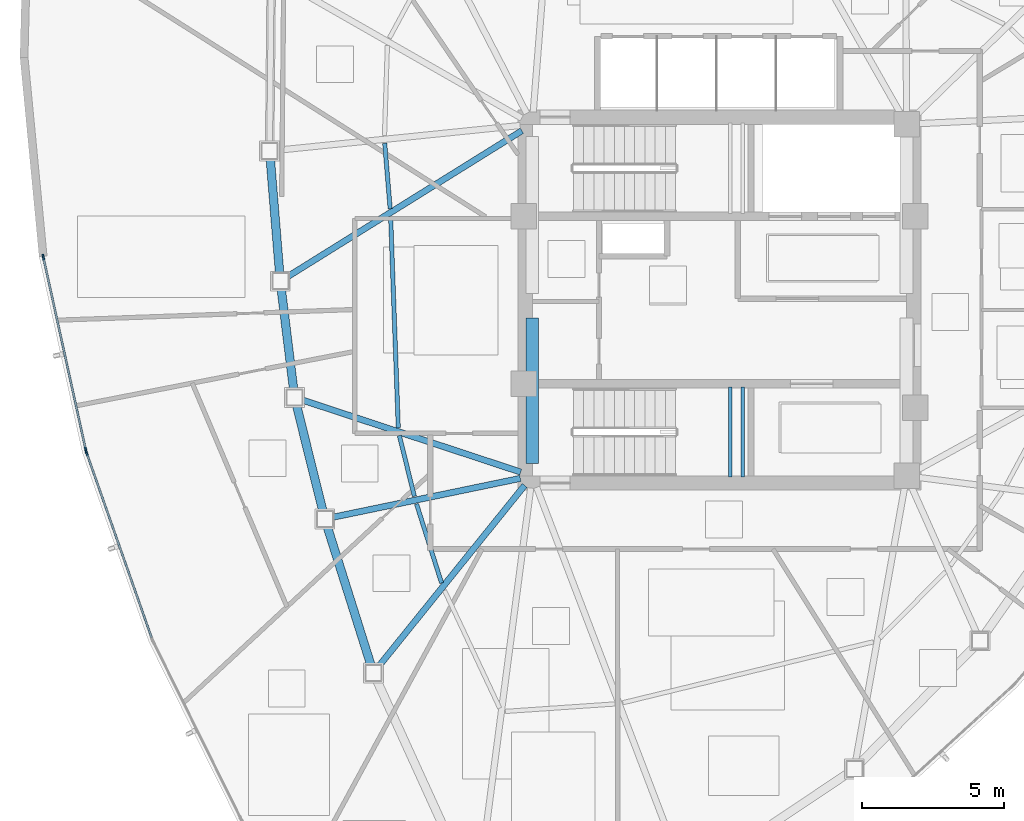
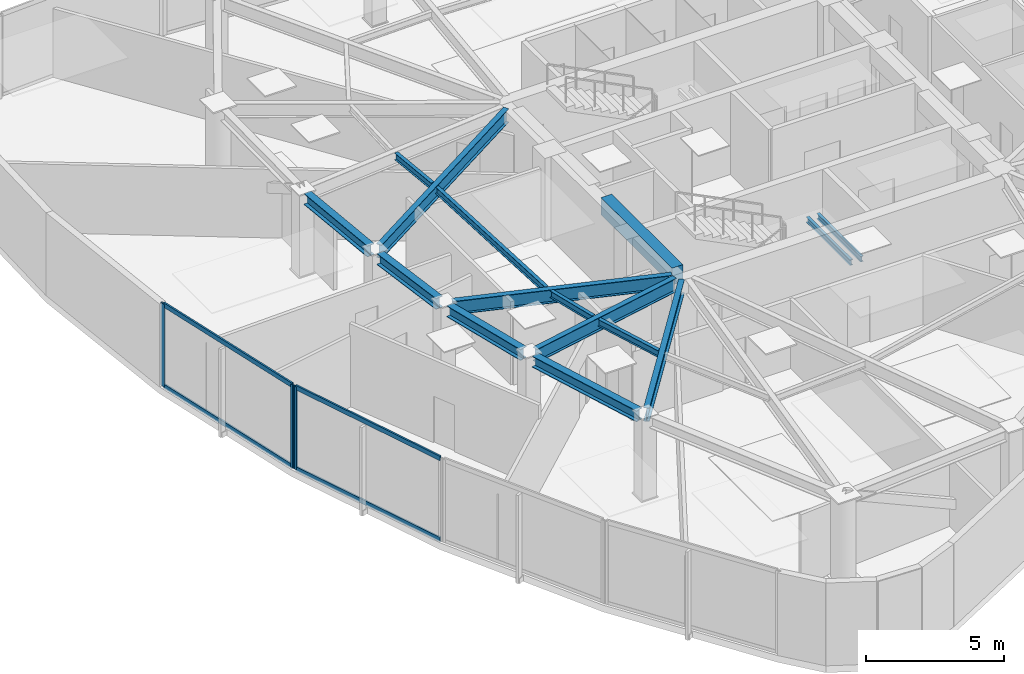
# One storey, part 3 of 14: 15 beams, 7 members, 2 elements without a shape of their own.
"""IFC4 building model written with IfcOpenShell, lengths in metres."""

from ifc_helpers import new_model, si_unit, direction, frame, origin, origin_2d, place, context, subcontext, project, spatial, rectangle, hollow_rectangle, i_section, extrude, source, transform, mapped, material, layer, layer_set, material_profile, profile_set, type_object, type_shapes, element, aggregate, save


model = new_model("IFC4")

# Units and contexts
model_context = context("Model", 3, precision=1e-05, world=origin(), true_north=direction((0.0, 1.0)))
body_context = subcontext(model_context, "Body", "Model", "MODEL_VIEW")
ifc_project = project(units=[si_unit("LENGTHUNIT", "METRE"), si_unit("AREAUNIT", "SQUARE_METRE"), si_unit("VOLUMEUNIT", "CUBIC_METRE"), si_unit("PLANEANGLEUNIT", "RADIAN"), si_unit("MASSUNIT", "GRAM", prefix="KILO")], contexts=[model_context])

# Site, building, storey
site_placement = place(None, origin())
site = spatial("IfcSite", under=ifc_project, at=site_placement, CompositionType="ELEMENT")
building_placement = place(site_placement, origin())
building = spatial("IfcBuilding", under=site, at=building_placement, Name="Tavelor Broadcast Tower", CompositionType="ELEMENT")
storey_placement = place(building_placement, frame((0.0, 0.0, 234.0)))
storey = spatial("IfcBuildingStorey", under=building, at=storey_placement, Name="L55", CompositionType="ELEMENT", Elevation=234.0)

# Beams
ifc_material_1 = material(Name="Concrete C40/50", Category="concrete")
ifc_material_profile_1 = material_profile(ifc_material_1, rectangle(XDim=0.449951171875, YDim=0.75, at=origin_2d()), Name="RC 450x750")
ifc_profile_set_1 = profile_set([ifc_material_profile_1], Name="Concrete C40/50")
beam_type_1 = type_object("IfcBeamType", Name="Basement Core Trim Beam 450x750", PredefinedType="BEAM", material=ifc_profile_set_1)
beam_1_placement = place(storey_placement, frame((43.39990234375, 39.23193359375, 3.27490234375), z_axis=(0.0, 1.0, 0.0), x_axis=(-1.0, 0.0, 0.0)))
element("IfcBeam", 1, at=beam_1_placement, inside=storey, type_object=beam_type_1, Name="L55 Core West-S Tie Girder", PredefinedType="BEAM", context=body_context, shape_type="SweptSolid", body=[
    extrude(rectangle(XDim=0.449951171875, YDim=0.75, at=origin_2d()), origin(), (0.0, 0.0, 1.0), 5.135986328125),
])
ifc_material_2 = material(Name="Steel S355", Category="steel")
ifc_material_profile_2 = material_profile(ifc_material_2, i_section(OverallWidth=0.14990234375, OverallDepth=0.300048828125, WebThickness=0.007080078125, FlangeThickness=0.0107421875, at=origin_2d()), Name="IPE 300")
ifc_profile_set_2 = profile_set([ifc_material_profile_2], Name="Steel S355")
beam_type_2 = type_object("IfcBeamType", Name="Composite Floor Joist T5 IPE 300", PredefinedType="JOIST", material=ifc_profile_set_2)
beam_2_placement = place(storey_placement, frame((38.19580078125, 50.529541015625, 3.5), z_axis=(0.082940684636, -0.996554485631, 0.0), x_axis=(0.996554485631, 0.082940684636, 0.0)))
element("IfcBeam", 2, at=beam_2_placement, inside=storey, type_object=beam_type_2, Name="L55 Secondary Composite Floor Joist 02", PredefinedType="JOIST", context=body_context, shape_type="SweptSolid", body=[
    extrude(i_section(OverallWidth=0.14990234375, OverallDepth=0.300048828125, WebThickness=0.007080078125, FlangeThickness=0.0107421875, at=origin_2d()), origin(), (0.0, 0.0, 1.0), 2.313720703125),
])
beam_3_placement = place(storey_placement, frame((38.404296875, 47.945556640625, 3.5), z_axis=(0.036223057878, -0.999343729694, 0.0), x_axis=(0.999343729694, 0.036223057878, 0.0)))
element("IfcBeam", 3, at=beam_3_placement, inside=storey, type_object=beam_type_2, Name="L55 Secondary Composite Floor Joist 03", PredefinedType="JOIST", context=body_context, shape_type="SweptSolid", body=[
    extrude(i_section(OverallWidth=0.14990234375, OverallDepth=0.300048828125, WebThickness=0.007080078125, FlangeThickness=0.0107421875, at=origin_2d()), origin(), (0.0, 0.0, 1.0), 7.454345703125),
])
beam_4_placement = place(storey_placement, frame((38.712646484375, 40.221435546875, 3.5), z_axis=(0.239592093356, -0.970873642037, 0.0), x_axis=(0.970873642037, 0.239592093356, 0.0)))
element("IfcBeam", 4, at=beam_4_placement, inside=storey, type_object=beam_type_2, Name="L55 Secondary Composite Floor Joist 04", PredefinedType="JOIST", context=body_context, shape_type="SweptSolid", body=[
    extrude(i_section(OverallWidth=0.14990234375, OverallDepth=0.300048828125, WebThickness=0.007080078125, FlangeThickness=0.0107421875, at=origin_2d()), origin(), (0.0, 0.0, 1.0), 2.2060546875),
])
beam_5_placement = place(storey_placement, frame((39.316650390625, 37.811279296875, 3.5), z_axis=(0.302412009178, -0.953177306017, 0.0), x_axis=(0.953177306017, 0.302412009178, 0.0)))
element("IfcBeam", 5, at=beam_5_placement, inside=storey, type_object=beam_type_2, Name="L55 Secondary Composite Floor Joist 05", PredefinedType="JOIST", context=body_context, shape_type="SweptSolid", body=[
    extrude(i_section(OverallWidth=0.14990234375, OverallDepth=0.300048828125, WebThickness=0.007080078125, FlangeThickness=0.0107421875, at=origin_2d()), origin(), (0.0, 0.0, 1.0), 2.92822265625),
])
ifc_material_profile_3 = material_profile(ifc_material_2, i_section(OverallWidth=0.300048828125, OverallDepth=0.489990234375, WebThickness=0.011962890625, FlangeThickness=0.02294921875, at=origin_2d()), Name="HEA 500")
ifc_profile_set_3 = profile_set([ifc_material_profile_3], Name="Steel S355")
beam_type_3 = type_object("IfcBeamType", Name="Perimeter Spandrel Beam T5 HEA 500", PredefinedType="SPANDREL", material=ifc_profile_set_3)
beam_6_placement = place(storey_placement, frame((34.16064453125, 49.968994140625, 3.405029296875), z_axis=(0.081762275835, -0.996651860105, 0.0), x_axis=(0.996651860105, 0.081762275835, 0.0)))
element("IfcBeam", 6, at=beam_6_placement, inside=storey, type_object=beam_type_3, Name="L55 Framed-Tube Ring Spandrel 02", PredefinedType="SPANDREL", context=body_context, shape_type="SweptSolid", body=[
    extrude(i_section(OverallWidth=0.300048828125, OverallDepth=0.489990234375, WebThickness=0.011962890625, FlangeThickness=0.02294921875, at=origin_2d()), origin(), (0.0, 0.0, 1.0), 4.031005859375),
])
beam_7_placement = place(storey_placement, frame((34.548828125, 45.378662109375, 3.405029296875), z_axis=(0.122285270418, -0.99249499376, 0.0), x_axis=(0.99249499376, 0.122285270418, 0.0)))
element("IfcBeam", 7, at=beam_7_placement, inside=storey, type_object=beam_type_3, Name="L55 Framed-Tube Ring Spandrel 03", PredefinedType="SPANDREL", context=body_context, shape_type="SweptSolid", body=[
    extrude(i_section(OverallWidth=0.300048828125, OverallDepth=0.489990234375, WebThickness=0.011962890625, FlangeThickness=0.02294921875, at=origin_2d()), origin(), (0.0, 0.0, 1.0), 3.5556640625),
])
beam_8_placement = place(storey_placement, frame((35.08837890625, 41.284423828125, 3.405029296875), z_axis=(0.24127750007, -0.970456164883, 0.0), x_axis=(0.970456164883, 0.24127750007, 0.0)))
element("IfcBeam", 8, at=beam_8_placement, inside=storey, type_object=beam_type_3, Name="L55 Framed-Tube Ring Spandrel 04", PredefinedType="SPANDREL", context=body_context, shape_type="SweptSolid", body=[
    extrude(i_section(OverallWidth=0.300048828125, OverallDepth=0.489990234375, WebThickness=0.011962890625, FlangeThickness=0.02294921875, at=origin_2d()), origin(), (0.0, 0.0, 1.0), 3.8359375),
])
beam_9_placement = place(storey_placement, frame((36.170166015625, 37.0078125, 3.405029296875), z_axis=(0.300957826527, -0.95363745032, 0.0), x_axis=(0.95363745032, 0.300957826527, 0.0)))
element("IfcBeam", 9, at=beam_9_placement, inside=storey, type_object=beam_type_3, Name="L55 Framed-Tube Ring Spandrel 05", PredefinedType="SPANDREL", context=body_context, shape_type="SweptSolid", body=[
    extrude(i_section(OverallWidth=0.300048828125, OverallDepth=0.489990234375, WebThickness=0.011962890625, FlangeThickness=0.02294921875, at=origin_2d()), origin(), (0.0, 0.0, 1.0), 5.1171875),
])
ifc_material_profile_4 = material_profile(ifc_material_2, i_section(OverallWidth=0.219970703125, OverallDepth=0.60009765625, WebThickness=0.011962890625, FlangeThickness=0.01904296875, at=origin_2d()), Name="IPE 600")
ifc_profile_set_4 = profile_set([ifc_material_profile_4], Name="Steel S355")
beam_type_4 = type_object("IfcBeamType", Name="Radial Floor Girder T5 IPE 600", PredefinedType="BEAM", material=ifc_profile_set_4)
beam_10_placement = place(storey_placement, frame((43.033203125, 50.9716796875, 3.35009765625), z_axis=(-0.848782406462, -0.528742306309, 0.0), x_axis=(0.528742306309, -0.848782406462, 0.0)))
element("IfcBeam", 10, at=beam_10_placement, inside=storey, type_object=beam_type_4, Name="L55 Radial Primary Floor Girder 03", PredefinedType="BEAM", context=body_context, shape_type="SweptSolid", body=[
    extrude(i_section(OverallWidth=0.219970703125, OverallDepth=0.60009765625, WebThickness=0.011962890625, FlangeThickness=0.01904296875, at=origin_2d()), origin(), (0.0, 0.0, 1.0), 9.7490234375),
])
beam_11_placement = place(storey_placement, frame((42.98974609375, 38.935302734375, 3.35009765625), z_axis=(-0.949693529109, 0.313180779692, 0.0), x_axis=(-0.313180779692, -0.949693529109, 0.0)))
element("IfcBeam", 11, at=beam_11_placement, inside=storey, type_object=beam_type_4, Name="L55 Radial Primary Floor Girder 04", PredefinedType="BEAM", context=body_context, shape_type="SweptSolid", body=[
    extrude(i_section(OverallWidth=0.219970703125, OverallDepth=0.60009765625, WebThickness=0.011962890625, FlangeThickness=0.01904296875, at=origin_2d()), origin(), (0.0, 0.0, 1.0), 8.10498046875),
])
beam_12_placement = place(storey_placement, frame((42.97705078125, 38.71240234375, 3.35009765625), z_axis=(-0.979152429868, -0.203126854658, 0.0), x_axis=(0.203126854658, -0.979152429868, 0.0)))
element("IfcBeam", 12, at=beam_12_placement, inside=storey, type_object=beam_type_4, Name="L55 Radial Primary Floor Girder 05", PredefinedType="BEAM", context=body_context, shape_type="SweptSolid", body=[
    extrude(i_section(OverallWidth=0.219970703125, OverallDepth=0.60009765625, WebThickness=0.011962890625, FlangeThickness=0.01904296875, at=origin_2d()), origin(), (0.0, 0.0, 1.0), 6.75244140625),
])
beam_13_placement = place(storey_placement, frame((43.12890625, 38.463623046875, 3.35009765625), z_axis=(-0.627821660469, -0.778357220463, 0.0), x_axis=(0.778357220463, -0.627821660469, 0.0)))
element("IfcBeam", 13, at=beam_13_placement, inside=storey, type_object=beam_type_4, Name="L55 Radial Primary Floor Girder 06", PredefinedType="BEAM", context=body_context, shape_type="SweptSolid", body=[
    extrude(i_section(OverallWidth=0.219970703125, OverallDepth=0.60009765625, WebThickness=0.011962890625, FlangeThickness=0.01904296875, at=origin_2d()), origin(), (0.0, 0.0, 1.0), 8.204833984375),
])
ifc_material_profile_5 = material_profile(ifc_material_2, i_section(OverallWidth=0.1201171875, OverallDepth=0.239990234375, WebThickness=0.006103515625, FlangeThickness=0.009765625, at=origin_2d()), Name="IPE 240")
ifc_profile_set_5 = profile_set([ifc_material_profile_5], Name="Steel S355")
beam_type_5 = type_object("IfcBeamType", Name="Stairwell Landing Support Trimmer Beam IPE240", PredefinedType="BEAM", material=ifc_profile_set_5)
for number, where, z_axis, x_axis, name in (
    (14, (50.385009765625, 38.760009765625, 1.659912109375), (0.0, 1.0, 0.0), (-1.0, 0.0, 0.0), "L55 Stair Landing Support Beam 365"),
    (15, (50.824951171875, 38.760009765625, 1.659912109375), (0.0, 1.0, 0.0), (-1.0, 0.0, 0.0), "L55 Stair Landing Support Beam 366"),
):
    element("IfcBeam", number, at=place(storey_placement, frame(where, z_axis=z_axis, x_axis=x_axis)), inside=storey, type_object=beam_type_5, Name=name, PredefinedType="BEAM", context=body_context, shape_type="SweptSolid", body=[
        extrude(i_section(OverallWidth=0.1201171875, OverallDepth=0.239990234375, WebThickness=0.006103515625, FlangeThickness=0.009765625, at=origin_2d()), origin(), (0.0, 0.0, 1.0), 3.179931640625),
    ])

# Curtain wall, members
ifc_material_3 = material(Name="Architectural Anodized Aluminium", Category="aluminium")
ifc_layer = layer(ifc_material_3, 0.199951171875)
ifc_layer_set = layer_set([ifc_layer], Name="Architectural Anodized Aluminium")
curtain_wall_type = type_object("IfcCurtainWallType", Name="Tower High-Zone Triple-Glazed Curtain Wall CW04", PredefinedType="NOTDEFINED", material=ifc_layer_set)
curtain_wall_1_placement = place(storey_placement, origin())
curtain_wall_1 = element("IfcCurtainWall", 16, at=curtain_wall_1_placement, inside=storey, type_object=curtain_wall_type, Name="L55 Curtain Wall CW04 Run 589", PredefinedType="NOTDEFINED")
ifc_material_profile_6 = material_profile(ifc_material_3, hollow_rectangle(XDim=0.070068359375, YDim=0.199951171875, WallThickness=0.02197265625, at=origin_2d()), Name="RHS 70x200x22")
ifc_profile_set_6 = profile_set([ifc_material_profile_6], Name="Architectural Anodized Aluminium")
member_type_1 = type_object("IfcMemberType", Name="CW04 Extruded Aluminium Mullion 70x200", PredefinedType="MULLION", material=ifc_profile_set_6)
shared_shape_1 = source(origin(), body_context, "Body", "SweptSolid", [
    extrude(hollow_rectangle(XDim=0.070068359375, YDim=0.199951171875, WallThickness=0.02197265625, at=origin_2d()), origin(), (0.0, 0.0, 1.0), 3.64990234375),
])
type_shapes(member_type_1, [shared_shape_1])
member_1_placement = place(storey_placement, frame((26.15576171875, 46.514892578125, 0.0), z_axis=(0.0, 0.0, 1.0), x_axis=(0.976580718933, 0.215151340708, 0.0)))
member_1 = element("IfcMember", 17, at=member_1_placement, type_object=member_type_1, Name="CW04 mullion 1", PredefinedType="MULLION", context=body_context, shape_type="MappedRepresentation", body=[
    mapped(shared_shape_1, transform((0.0, 0.0, 0.0), scale=1.0)),
])
member_2_placement = place(storey_placement, frame((27.654541015625, 39.712158203125, 0.0), z_axis=(0.0, 0.0, 1.0), x_axis=(0.976580718933, 0.215151340708, 0.0)))
member_2 = element("IfcMember", 18, at=member_2_placement, type_object=member_type_1, Name="CW04 mullion 2", PredefinedType="MULLION", context=body_context, shape_type="MappedRepresentation", body=[
    mapped(shared_shape_1, transform((0.0, 0.0, 0.0), scale=1.0)),
])

# Curtain wall, member
curtain_wall_2_placement = place(storey_placement, origin())
curtain_wall_2 = element("IfcCurtainWall", 19, at=curtain_wall_2_placement, inside=storey, type_object=curtain_wall_type, Name="L55 Curtain Wall CW04 Run 590", PredefinedType="NOTDEFINED")
member_3_placement = place(storey_placement, frame((27.681884765625, 39.615966796875, 0.0), z_axis=(0.0, 0.0, 1.0), x_axis=(0.943363909452, 0.331759753954, 0.0)))
member_3 = element("IfcMember", 20, at=member_3_placement, type_object=member_type_1, Name="CW04 mullion 1", PredefinedType="MULLION", context=body_context, shape_type="MappedRepresentation", body=[
    mapped(shared_shape_1, transform((0.0, 0.0, 0.0), scale=1.0)),
])

# Member
ifc_material_profile_7 = material_profile(ifc_material_3, hollow_rectangle(XDim=0.070068359375, YDim=0.199951171875, WallThickness=0.02197265625, at=origin_2d()), Name="RHS 70x200x22")
ifc_profile_set_7 = profile_set([ifc_material_profile_7], Name="Architectural Anodized Aluminium")
member_type_2 = type_object("IfcMemberType", Name="CW04 Extruded Aluminium Transom 70x200", PredefinedType="USERDEFINED", material=ifc_profile_set_7)
shared_shape_2 = source(origin(), body_context, "Body", "SweptSolid", [
    extrude(hollow_rectangle(XDim=0.070068359375, YDim=0.199951171875, WallThickness=0.02197265625, at=origin_2d()), origin(), (0.0, 0.0, 1.0), 6.895751953125),
])
member_4_placement = place(storey_placement, frame((26.163330078125, 46.480712890625, 0.034912109375), z_axis=(0.215149489121, -0.976581126856, 0.0), x_axis=(0.976581126856, 0.215149489121, 0.0)))
member_4 = element("IfcMember", 21, at=member_4_placement, type_object=member_type_2, Name="CW04 transom 1.1", ObjectType="TRANSOM", PredefinedType="USERDEFINED", context=body_context, shape_type="MappedRepresentation", body=[
    mapped(shared_shape_2, transform((0.0, 0.0, 0.0), scale=1.0)),
])

member_5_placement = place(storey_placement, frame((26.163330078125, 46.480712890625, 3.614990234375), z_axis=(0.215149489121, -0.976581126856, 0.0), x_axis=(0.976581126856, 0.215149489121, 0.0)))
member_5 = element("IfcMember", 22, at=member_5_placement, type_object=member_type_2, Name="CW04 transom 1.2", ObjectType="TRANSOM", PredefinedType="USERDEFINED", context=body_context, shape_type="MappedRepresentation", body=[
    mapped(shared_shape_2, transform((0.0, 0.0, 0.0), scale=1.0)),
])

aggregate(curtain_wall_1, [member_1, member_2, member_4, member_5])

shared_shape_3 = source(origin(), body_context, "Body", "SweptSolid", [
    extrude(hollow_rectangle(XDim=0.070068359375, YDim=0.199951171875, WallThickness=0.02197265625, at=origin_2d()), origin(), (0.0, 0.0, 1.0), 6.880859375),
])
type_shapes(member_type_2, [shared_shape_2, shared_shape_3])
member_6_placement = place(storey_placement, frame((27.693359375, 39.5830078125, 0.034912109375), z_axis=(0.331778751376, -0.943357228273, 0.0), x_axis=(0.943357228273, 0.331778751376, 0.0)))
member_6 = element("IfcMember", 23, at=member_6_placement, type_object=member_type_2, Name="CW04 transom 1.1", ObjectType="TRANSOM", PredefinedType="USERDEFINED", context=body_context, shape_type="MappedRepresentation", body=[
    mapped(shared_shape_3, transform((0.0, 0.0, 0.0), scale=1.0)),
])

member_7_placement = place(storey_placement, frame((27.693359375, 39.5830078125, 3.614990234375), z_axis=(0.331778751376, -0.943357228273, 0.0), x_axis=(0.943357228273, 0.331778751376, 0.0)))
member_7 = element("IfcMember", 24, at=member_7_placement, type_object=member_type_2, Name="CW04 transom 1.2", ObjectType="TRANSOM", PredefinedType="USERDEFINED", context=body_context, shape_type="MappedRepresentation", body=[
    mapped(shared_shape_3, transform((0.0, 0.0, 0.0), scale=1.0)),
])

aggregate(curtain_wall_2, [member_3, member_6, member_7])

save(model, "model.ifc")
